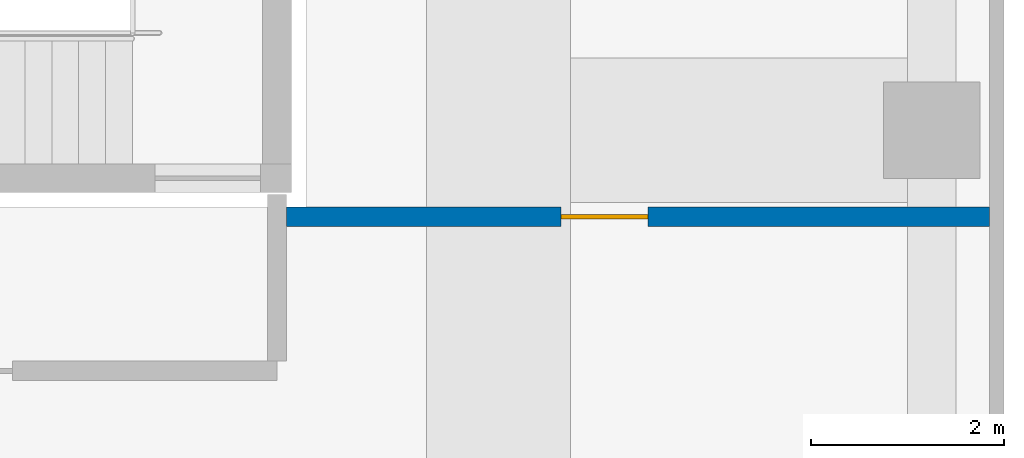
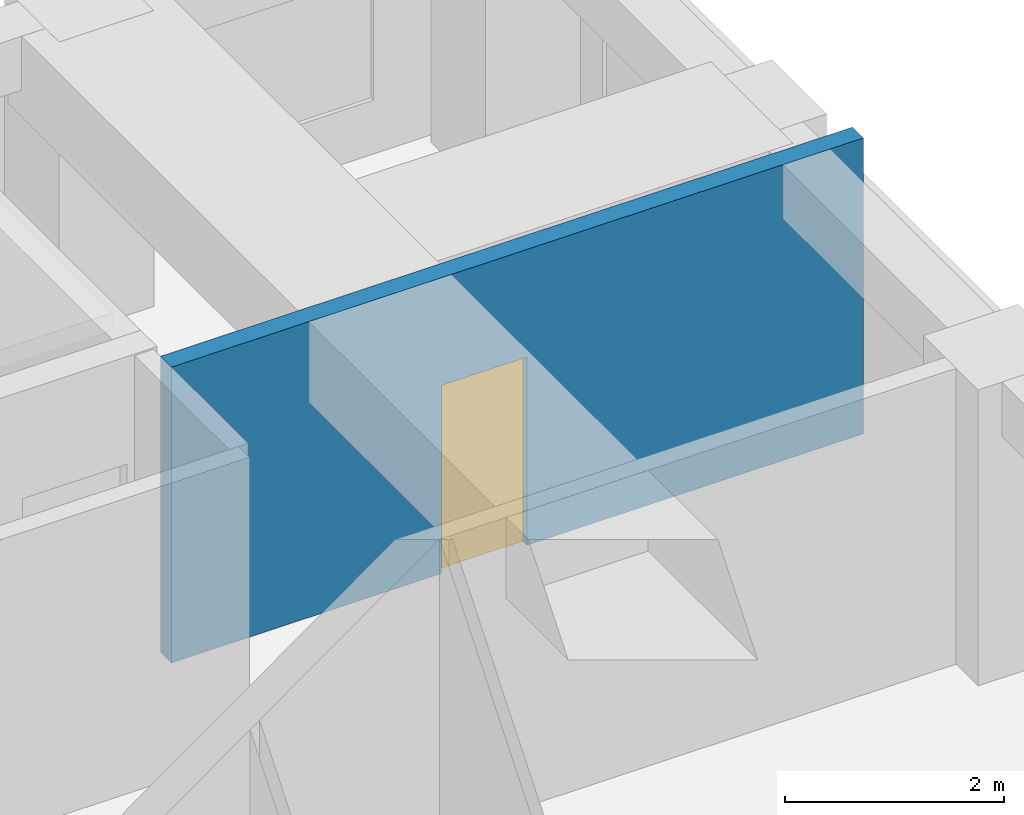
# One storey, part 9 of 12: 1 door, 1 wall, 1 opening.
"""IFC4 building model written with IfcOpenShell, lengths in metres."""

from ifc_helpers import new_model, si_unit, direction, frame, frame_2d, origin, place, context, subcontext, project, spatial, rectangle, extrude, material, layer, layer_set, type_object, element, fill, save


model = new_model("IFC4")

# Units and contexts
model_context = context("Model", 3, precision=1e-05, world=origin(), true_north=direction((0.0, 1.0)))
body_context = subcontext(model_context, "Body", "Model", "MODEL_VIEW")
ifc_project = project(units=[si_unit("LENGTHUNIT", "METRE"), si_unit("AREAUNIT", "SQUARE_METRE"), si_unit("VOLUMEUNIT", "CUBIC_METRE"), si_unit("PLANEANGLEUNIT", "RADIAN"), si_unit("MASSUNIT", "GRAM", prefix="KILO")], contexts=[model_context])

# Site, building, storey
site_placement = place(None, origin())
site = spatial("IfcSite", under=ifc_project, at=site_placement, CompositionType="ELEMENT")
building_placement = place(site_placement, origin())
building = spatial("IfcBuilding", under=site, at=building_placement, Name="Firuza Court", CompositionType="ELEMENT")
storey_placement = place(building_placement, frame((0.0, 0.0, 148.39990234375)))
storey = spatial("IfcBuildingStorey", under=building, at=storey_placement, Name="L37", CompositionType="ELEMENT", Elevation=148.39990234375)

# Wall, opening, door
ifc_material_1 = material(Name="Blockwork, plastered both sides", Category="masonry")
ifc_layer = layer(ifc_material_1, 0.199951171875)
ifc_layer_set = layer_set([ifc_layer], Name="Blockwork, plastered both sides")
wall_type = type_object("IfcWallType", Name="Corridor wall 200", PredefinedType="PARTITIONING", material=ifc_layer_set)
wall_placement = place(storey_placement, frame((60.800048828125, 53.10009765625, 0.0), z_axis=(0.0, 0.0, 1.0), x_axis=(1.0, 0.0, 0.0)))
wall = element("IfcWall", 1, at=wall_placement, inside=storey, type_object=wall_type, Name="Corridor wall 200 L37", PredefinedType="PARTITIONING", context=body_context, shape_type="SweptSolid", body=[
    extrude(rectangle(XDim=7.300048828125, YDim=0.199951171875, at=frame_2d((3.64990234375, 0.0))), origin(), (0.0, 0.0, 1.0), 3.300048828125),
])
opening_placement = place(wall_placement, frame((2.85009765625, 0.0, 0.0)))
opening = element("IfcOpeningElement", 2, at=opening_placement, cuts=wall, Name="Opening D37076", PredefinedType="OPENING", context=body_context, shape_type="SweptSolid", body=[
    extrude(rectangle(XDim=0.89990234375, YDim=2.10009765625, at=frame_2d((0.449951171875, 1.050048828125))), frame((0.0, 0.11181640625, 0.0), z_axis=(0.0, -1.0, 0.0), x_axis=(1.0, 0.0, 0.0)), (0.0, 0.0, 1.0), 0.223876953125),
])
ifc_material_2 = material(Name="Timber door leaf in hardwood frame", Category="wood")
door_type = type_object("IfcDoorType", Name="Room door 900 EI 30", OperationType="SINGLE_SWING_LEFT", PredefinedType="DOOR", material=ifc_material_2)
door_placement = place(opening_placement, origin())
door = element("IfcDoor", 3, at=door_placement, inside=storey, type_object=door_type, Name="Meeting room door", OperationType="SINGLE_SWING_LEFT", OverallHeight=2.10009765625, OverallWidth=0.89990234375, PredefinedType="DOOR", context=body_context, shape_type="SweptSolid", body=[
    extrude(rectangle(XDim=0.89990234375, YDim=2.10009765625, at=frame_2d((0.449951171875, 1.050048828125))), frame((0.0, 0.02490234375, 0.0), z_axis=(0.0, -1.0, 0.0), x_axis=(1.0, 0.0, 0.0)), (0.0, 0.0, 1.0), 0.050048828125),
])
fill(opening, door)

save(model, "model.ifc")
